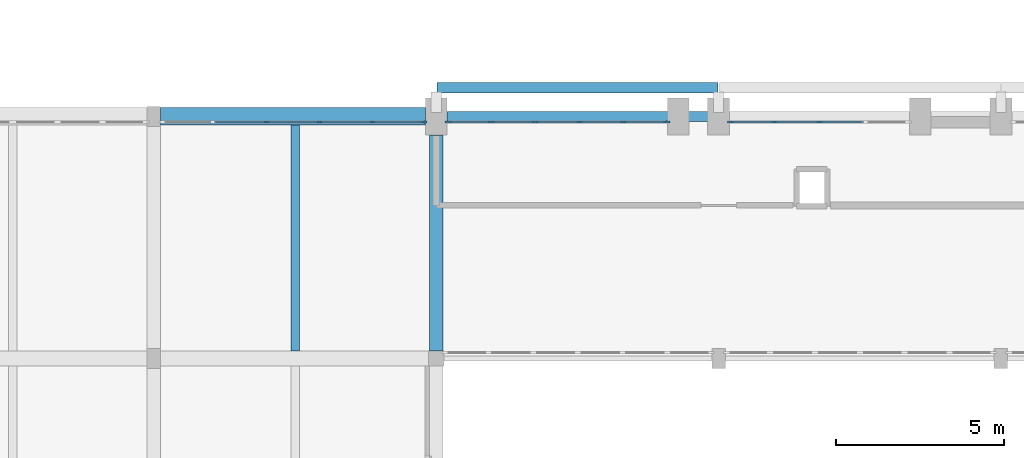
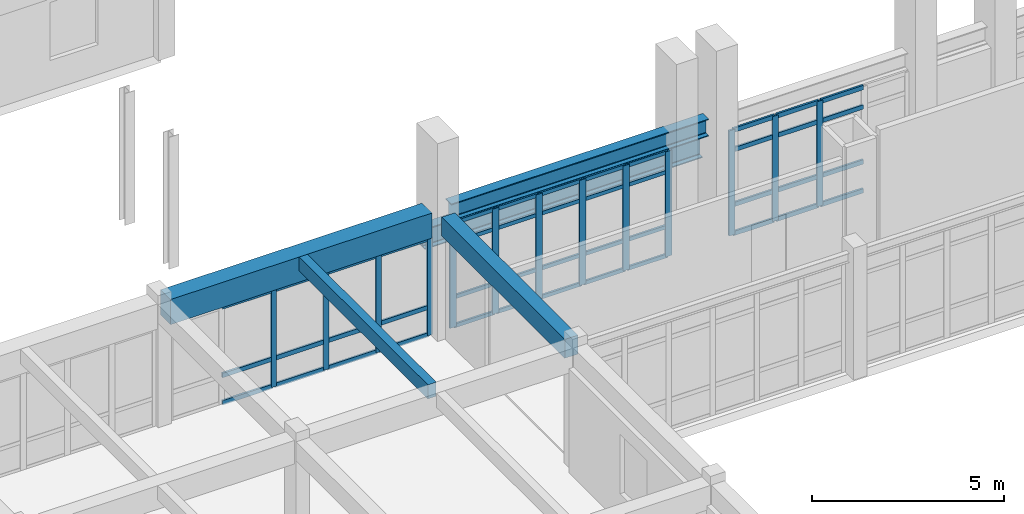
# One storey, part 83 of 147: 57 members, 5 beams, 3 elements without a shape of their own.
"""IFC4 building model written with IfcOpenShell, lengths in metres."""

from ifc_helpers import new_model, si_unit, direction, frame, origin, origin_2d, place, context, subcontext, project, spatial, rectangle, i_section, extrude, material, material_profile, profile_set, type_object, element, aggregate, save


model = new_model("IFC4")

# Units and contexts
model_context = context("Model", 3, precision=1e-05, world=origin(), true_north=direction((0.0, 1.0)))
body_context = subcontext(model_context, "Body", "Model", "MODEL_VIEW")
ifc_project = project(units=[si_unit("LENGTHUNIT", "METRE"), si_unit("AREAUNIT", "SQUARE_METRE"), si_unit("VOLUMEUNIT", "CUBIC_METRE"), si_unit("PLANEANGLEUNIT", "RADIAN"), si_unit("MASSUNIT", "GRAM", prefix="KILO")], contexts=[model_context])

# Site, building, storey
site_placement = place(None, origin())
site = spatial("IfcSite", under=ifc_project, at=site_placement, CompositionType="ELEMENT")
building_placement = place(site_placement, origin())
building = spatial("IfcBuilding", under=site, at=building_placement, Name="Malvenik Polytechnic", CompositionType="ELEMENT")
storey_placement = place(building_placement, frame((0.0, 0.0, 5.10009765625)))
storey = spatial("IfcBuildingStorey", under=building, at=storey_placement, Name="L01", CompositionType="ELEMENT", Elevation=5.10009765625)

# Curtain wall, members
ifc_material_1 = material(Name="Anodised aluminium 6060-T6", Category="aluminium")
curtain_wall_type_1 = type_object("IfcCurtainWallType", Name="ARC-CW-CW-02", PredefinedType="NOTDEFINED", material=ifc_material_1)
curtain_wall_1_placement = place(storey_placement, origin())
curtain_wall_1 = element("IfcCurtainWall", 1, at=curtain_wall_1_placement, inside=storey, type_object=curtain_wall_type_1, Name="Unitised Curtain Wall CW-02 L01 #98", PredefinedType="NOTDEFINED")
ifc_material_2 = material(Name="Anodised aluminium", Category="aluminium")
ifc_material_profile_1 = material_profile(ifc_material_2, rectangle(XDim=0.06005859375, YDim=0.159912109375, at=origin_2d()), Name="ALU MULLION 60x160")
ifc_profile_set_1 = profile_set([ifc_material_profile_1], Name="Anodised aluminium")
member_type_1 = type_object("IfcMemberType", Name="ARC-CWM-160", PredefinedType="MULLION", material=ifc_profile_set_1)
member_1_placement = place(storey_placement, frame((129.349609375, 35.830078125, 0.0), z_axis=(0.0, 0.0, 1.0), x_axis=(0.0, 1.0, 0.0)))
member_1 = element("IfcMember", 2, at=member_1_placement, type_object=member_type_1, Name="CW-02 mullion 3", PredefinedType="MULLION", context=body_context, shape_type="SweptSolid", body=[
    extrude(rectangle(XDim=0.06005859375, YDim=0.159912109375, at=origin_2d()), origin(), (0.0, 0.0, 1.0), 3.10986328125),
])
member_2_placement = place(storey_placement, frame((130.92529296875, 35.830078125, 0.0), z_axis=(0.0, 0.0, 1.0), x_axis=(0.0, 1.0, 0.0)))
member_2 = element("IfcMember", 3, at=member_2_placement, type_object=member_type_1, Name="CW-02 mullion 4", PredefinedType="MULLION", context=body_context, shape_type="SweptSolid", body=[
    extrude(rectangle(XDim=0.06005859375, YDim=0.159912109375, at=origin_2d()), origin(), (0.0, 0.0, 1.0), 3.10986328125),
])
member_3_placement = place(storey_placement, frame((132.501220703125, 35.830078125, 0.0), z_axis=(0.0, 0.0, 1.0), x_axis=(0.0, 1.0, 0.0)))
member_3 = element("IfcMember", 4, at=member_3_placement, type_object=member_type_1, Name="CW-02 mullion 5", PredefinedType="MULLION", context=body_context, shape_type="SweptSolid", body=[
    extrude(rectangle(XDim=0.06005859375, YDim=0.159912109375, at=origin_2d()), origin(), (0.0, 0.0, 1.0), 3.10986328125),
])
member_4_placement = place(storey_placement, frame((134.047119140625, 35.830078125, 0.0), z_axis=(0.0, 0.0, 1.0), x_axis=(0.0, 1.0, 0.0)))
member_4 = element("IfcMember", 5, at=member_4_placement, type_object=member_type_1, Name="CW-02 mullion 6", PredefinedType="MULLION", context=body_context, shape_type="SweptSolid", body=[
    extrude(rectangle(XDim=0.06005859375, YDim=0.159912109375, at=origin_2d()), origin(), (0.0, 0.0, 1.0), 3.10986328125),
])

curtain_wall_type_2 = type_object("IfcCurtainWallType", Name="ARC-CW-CW-15", PredefinedType="NOTDEFINED", material=ifc_material_1)
curtain_wall_2_placement = place(storey_placement, origin())
curtain_wall_2 = element("IfcCurtainWall", 6, at=curtain_wall_2_placement, inside=storey, type_object=curtain_wall_type_2, Name="Unitised Curtain Wall CW-15 L01 #100", PredefinedType="NOTDEFINED")
ifc_material_profile_2 = material_profile(ifc_material_2, rectangle(XDim=0.06005859375, YDim=0.179931640625, at=origin_2d()), Name="ALU MULLION 60x180")
ifc_profile_set_2 = profile_set([ifc_material_profile_2], Name="Anodised aluminium")
member_type_2 = type_object("IfcMemberType", Name="ARC-CWM-180", PredefinedType="MULLION", material=ifc_profile_set_2)
member_5_placement = place(storey_placement, frame((143.153076171875, 35.830078125, 0.0), z_axis=(0.0, 0.0, 1.0), x_axis=(0.0, 1.0, 0.0)))
member_5 = element("IfcMember", 7, at=member_5_placement, type_object=member_type_2, Name="CW-15 mullion 1", PredefinedType="MULLION", context=body_context, shape_type="SweptSolid", body=[
    extrude(rectangle(XDim=0.06005859375, YDim=0.179931640625, at=origin_2d()), origin(), (0.0, 0.0, 1.0), 3.347900390625),
])
member_6_placement = place(storey_placement, frame((144.46142578125, 35.830078125, 0.0), z_axis=(0.0, 0.0, 1.0), x_axis=(0.0, 1.0, 0.0)))
member_6 = element("IfcMember", 8, at=member_6_placement, type_object=member_type_2, Name="CW-15 mullion 2", PredefinedType="MULLION", context=body_context, shape_type="SweptSolid", body=[
    extrude(rectangle(XDim=0.06005859375, YDim=0.179931640625, at=origin_2d()), origin(), (0.0, 0.0, 1.0), 3.347900390625),
])
member_7_placement = place(storey_placement, frame((145.800048828125, 35.830078125, 0.0), z_axis=(0.0, 0.0, 1.0), x_axis=(0.0, 1.0, 0.0)))
member_7 = element("IfcMember", 9, at=member_7_placement, type_object=member_type_2, Name="CW-15 mullion 3", PredefinedType="MULLION", context=body_context, shape_type="SweptSolid", body=[
    extrude(rectangle(XDim=0.06005859375, YDim=0.179931640625, at=origin_2d()), origin(), (0.0, 0.0, 1.0), 3.347900390625),
])

curtain_wall_type_3 = type_object("IfcCurtainWallType", Name="ARC-CW-CW-05", PredefinedType="NOTDEFINED", material=ifc_material_1)
curtain_wall_3_placement = place(storey_placement, origin())
curtain_wall_3 = element("IfcCurtainWall", 10, at=curtain_wall_3_placement, inside=storey, type_object=curtain_wall_type_3, Name="Unitised Curtain Wall CW-05 L01 #99", PredefinedType="NOTDEFINED")
ifc_material_profile_3 = material_profile(ifc_material_2, rectangle(XDim=0.06005859375, YDim=0.199951171875, at=origin_2d()), Name="ALU MULLION 60x200")
ifc_profile_set_3 = profile_set([ifc_material_profile_3], Name="Anodised aluminium")
member_type_3 = type_object("IfcMemberType", Name="ARC-CWM-200", PredefinedType="MULLION", material=ifc_profile_set_3)
member_8_placement = place(storey_placement, frame((134.7529296875, 35.830078125, 0.0), z_axis=(0.0, 0.0, 1.0), x_axis=(0.0, 1.0, 0.0)))
member_8 = element("IfcMember", 11, at=member_8_placement, type_object=member_type_3, Name="CW-05 mullion 1", PredefinedType="MULLION", context=body_context, shape_type="SweptSolid", body=[
    extrude(rectangle(XDim=0.06005859375, YDim=0.199951171875, at=origin_2d()), origin(), (0.0, 0.0, 1.0), 3.347900390625),
])
member_9_placement = place(storey_placement, frame((136.03369140625, 35.830078125, 0.0), z_axis=(0.0, 0.0, 1.0), x_axis=(0.0, 1.0, 0.0)))
member_9 = element("IfcMember", 12, at=member_9_placement, type_object=member_type_3, Name="CW-05 mullion 2", PredefinedType="MULLION", context=body_context, shape_type="SweptSolid", body=[
    extrude(rectangle(XDim=0.06005859375, YDim=0.199951171875, at=origin_2d()), origin(), (0.0, 0.0, 1.0), 3.347900390625),
])
member_10_placement = place(storey_placement, frame((137.344482421875, 35.830078125, 0.0), z_axis=(0.0, 0.0, 1.0), x_axis=(0.0, 1.0, 0.0)))
member_10 = element("IfcMember", 13, at=member_10_placement, type_object=member_type_3, Name="CW-05 mullion 3", PredefinedType="MULLION", context=body_context, shape_type="SweptSolid", body=[
    extrude(rectangle(XDim=0.06005859375, YDim=0.199951171875, at=origin_2d()), origin(), (0.0, 0.0, 1.0), 3.347900390625),
])
member_11_placement = place(storey_placement, frame((138.655517578125, 35.830078125, 0.0), z_axis=(0.0, 0.0, 1.0), x_axis=(0.0, 1.0, 0.0)))
member_11 = element("IfcMember", 14, at=member_11_placement, type_object=member_type_3, Name="CW-05 mullion 4", PredefinedType="MULLION", context=body_context, shape_type="SweptSolid", body=[
    extrude(rectangle(XDim=0.06005859375, YDim=0.199951171875, at=origin_2d()), origin(), (0.0, 0.0, 1.0), 3.347900390625),
])
member_12_placement = place(storey_placement, frame((139.96630859375, 35.830078125, 0.0), z_axis=(0.0, 0.0, 1.0), x_axis=(0.0, 1.0, 0.0)))
member_12 = element("IfcMember", 15, at=member_12_placement, type_object=member_type_3, Name="CW-05 mullion 5", PredefinedType="MULLION", context=body_context, shape_type="SweptSolid", body=[
    extrude(rectangle(XDim=0.06005859375, YDim=0.199951171875, at=origin_2d()), origin(), (0.0, 0.0, 1.0), 3.347900390625),
])
member_13_placement = place(storey_placement, frame((141.2470703125, 35.830078125, 0.0), z_axis=(0.0, 0.0, 1.0), x_axis=(0.0, 1.0, 0.0)))
member_13 = element("IfcMember", 16, at=member_13_placement, type_object=member_type_3, Name="CW-05 mullion 6", PredefinedType="MULLION", context=body_context, shape_type="SweptSolid", body=[
    extrude(rectangle(XDim=0.06005859375, YDim=0.199951171875, at=origin_2d()), origin(), (0.0, 0.0, 1.0), 3.347900390625),
])
ifc_material_profile_4 = material_profile(ifc_material_2, rectangle(XDim=0.06005859375, YDim=0.1201171875, at=origin_2d()), Name="ALU TRANSOM 60x120")
ifc_profile_set_4 = profile_set([ifc_material_profile_4], Name="Anodised aluminium")
member_type_4 = type_object("IfcMemberType", Name="ARC-CWT-120", PredefinedType="USERDEFINED", material=ifc_profile_set_4)
member_14_placement = place(storey_placement, frame((134.782958984375, 35.830078125, 0.02978515625), z_axis=(1.0, 0.0, 0.0), x_axis=(0.0, 1.0, 0.0)))
member_14 = element("IfcMember", 17, at=member_14_placement, type_object=member_type_4, Name="CW-05 transom 1.1", ObjectType="TRANSOM", PredefinedType="USERDEFINED", context=body_context, shape_type="SweptSolid", body=[
    extrude(rectangle(XDim=0.06005859375, YDim=0.1201171875, at=origin_2d()), origin(), (0.0, 0.0, 1.0), 1.220947265625),
])
member_15_placement = place(storey_placement, frame((134.782958984375, 35.830078125, 0.949951171875), z_axis=(1.0, 0.0, 0.0), x_axis=(0.0, 1.0, 0.0)))
member_15 = element("IfcMember", 18, at=member_15_placement, type_object=member_type_4, Name="CW-05 transom 1.2", ObjectType="TRANSOM", PredefinedType="USERDEFINED", context=body_context, shape_type="SweptSolid", body=[
    extrude(rectangle(XDim=0.06005859375, YDim=0.1201171875, at=origin_2d()), origin(), (0.0, 0.0, 1.0), 1.220947265625),
])
member_16_placement = place(storey_placement, frame((134.782958984375, 35.830078125, 2.697998046875), z_axis=(1.0, 0.0, 0.0), x_axis=(0.0, 1.0, 0.0)))
member_16 = element("IfcMember", 19, at=member_16_placement, type_object=member_type_4, Name="CW-05 transom 1.3", ObjectType="TRANSOM", PredefinedType="USERDEFINED", context=body_context, shape_type="SweptSolid", body=[
    extrude(rectangle(XDim=0.06005859375, YDim=0.1201171875, at=origin_2d()), origin(), (0.0, 0.0, 1.0), 1.220947265625),
])
member_17_placement = place(storey_placement, frame((134.782958984375, 35.830078125, 3.31787109375), z_axis=(1.0, 0.0, 0.0), x_axis=(0.0, 1.0, 0.0)))
member_17 = element("IfcMember", 20, at=member_17_placement, type_object=member_type_4, Name="CW-05 transom 1.4", ObjectType="TRANSOM", PredefinedType="USERDEFINED", context=body_context, shape_type="SweptSolid", body=[
    extrude(rectangle(XDim=0.06005859375, YDim=0.1201171875, at=origin_2d()), origin(), (0.0, 0.0, 1.0), 1.220947265625),
])
member_18_placement = place(storey_placement, frame((136.063720703125, 35.830078125, 0.02978515625), z_axis=(1.0, 0.0, 0.0), x_axis=(0.0, 1.0, 0.0)))
member_18 = element("IfcMember", 21, at=member_18_placement, type_object=member_type_4, Name="CW-05 transom 2.1", ObjectType="TRANSOM", PredefinedType="USERDEFINED", context=body_context, shape_type="SweptSolid", body=[
    extrude(rectangle(XDim=0.06005859375, YDim=0.1201171875, at=origin_2d()), origin(), (0.0, 0.0, 1.0), 1.2509765625),
])
member_19_placement = place(storey_placement, frame((136.063720703125, 35.830078125, 0.949951171875), z_axis=(1.0, 0.0, 0.0), x_axis=(0.0, 1.0, 0.0)))
member_19 = element("IfcMember", 22, at=member_19_placement, type_object=member_type_4, Name="CW-05 transom 2.2", ObjectType="TRANSOM", PredefinedType="USERDEFINED", context=body_context, shape_type="SweptSolid", body=[
    extrude(rectangle(XDim=0.06005859375, YDim=0.1201171875, at=origin_2d()), origin(), (0.0, 0.0, 1.0), 1.2509765625),
])
member_20_placement = place(storey_placement, frame((136.063720703125, 35.830078125, 2.697998046875), z_axis=(1.0, 0.0, 0.0), x_axis=(0.0, 1.0, 0.0)))
member_20 = element("IfcMember", 23, at=member_20_placement, type_object=member_type_4, Name="CW-05 transom 2.3", ObjectType="TRANSOM", PredefinedType="USERDEFINED", context=body_context, shape_type="SweptSolid", body=[
    extrude(rectangle(XDim=0.06005859375, YDim=0.1201171875, at=origin_2d()), origin(), (0.0, 0.0, 1.0), 1.2509765625),
])
member_21_placement = place(storey_placement, frame((136.063720703125, 35.830078125, 3.31787109375), z_axis=(1.0, 0.0, 0.0), x_axis=(0.0, 1.0, 0.0)))
member_21 = element("IfcMember", 24, at=member_21_placement, type_object=member_type_4, Name="CW-05 transom 2.4", ObjectType="TRANSOM", PredefinedType="USERDEFINED", context=body_context, shape_type="SweptSolid", body=[
    extrude(rectangle(XDim=0.06005859375, YDim=0.1201171875, at=origin_2d()), origin(), (0.0, 0.0, 1.0), 1.2509765625),
])
member_22_placement = place(storey_placement, frame((137.37451171875, 35.830078125, 0.02978515625), z_axis=(1.0, 0.0, 0.0), x_axis=(0.0, 1.0, 0.0)))
member_22 = element("IfcMember", 25, at=member_22_placement, type_object=member_type_4, Name="CW-05 transom 3.1", ObjectType="TRANSOM", PredefinedType="USERDEFINED", context=body_context, shape_type="SweptSolid", body=[
    extrude(rectangle(XDim=0.06005859375, YDim=0.1201171875, at=origin_2d()), origin(), (0.0, 0.0, 1.0), 1.2509765625),
])
member_23_placement = place(storey_placement, frame((137.37451171875, 35.830078125, 0.949951171875), z_axis=(1.0, 0.0, 0.0), x_axis=(0.0, 1.0, 0.0)))
member_23 = element("IfcMember", 26, at=member_23_placement, type_object=member_type_4, Name="CW-05 transom 3.2", ObjectType="TRANSOM", PredefinedType="USERDEFINED", context=body_context, shape_type="SweptSolid", body=[
    extrude(rectangle(XDim=0.06005859375, YDim=0.1201171875, at=origin_2d()), origin(), (0.0, 0.0, 1.0), 1.2509765625),
])
member_24_placement = place(storey_placement, frame((137.37451171875, 35.830078125, 2.697998046875), z_axis=(1.0, 0.0, 0.0), x_axis=(0.0, 1.0, 0.0)))
member_24 = element("IfcMember", 27, at=member_24_placement, type_object=member_type_4, Name="CW-05 transom 3.3", ObjectType="TRANSOM", PredefinedType="USERDEFINED", context=body_context, shape_type="SweptSolid", body=[
    extrude(rectangle(XDim=0.06005859375, YDim=0.1201171875, at=origin_2d()), origin(), (0.0, 0.0, 1.0), 1.2509765625),
])
member_25_placement = place(storey_placement, frame((137.37451171875, 35.830078125, 3.31787109375), z_axis=(1.0, 0.0, 0.0), x_axis=(0.0, 1.0, 0.0)))
member_25 = element("IfcMember", 28, at=member_25_placement, type_object=member_type_4, Name="CW-05 transom 3.4", ObjectType="TRANSOM", PredefinedType="USERDEFINED", context=body_context, shape_type="SweptSolid", body=[
    extrude(rectangle(XDim=0.06005859375, YDim=0.1201171875, at=origin_2d()), origin(), (0.0, 0.0, 1.0), 1.2509765625),
])
member_26_placement = place(storey_placement, frame((138.685302734375, 35.830078125, 0.02978515625), z_axis=(1.0, 0.0, 0.0), x_axis=(0.0, 1.0, 0.0)))
member_26 = element("IfcMember", 29, at=member_26_placement, type_object=member_type_4, Name="CW-05 transom 4.1", ObjectType="TRANSOM", PredefinedType="USERDEFINED", context=body_context, shape_type="SweptSolid", body=[
    extrude(rectangle(XDim=0.06005859375, YDim=0.1201171875, at=origin_2d()), origin(), (0.0, 0.0, 1.0), 1.2509765625),
])
member_27_placement = place(storey_placement, frame((138.685302734375, 35.830078125, 0.949951171875), z_axis=(1.0, 0.0, 0.0), x_axis=(0.0, 1.0, 0.0)))
member_27 = element("IfcMember", 30, at=member_27_placement, type_object=member_type_4, Name="CW-05 transom 4.2", ObjectType="TRANSOM", PredefinedType="USERDEFINED", context=body_context, shape_type="SweptSolid", body=[
    extrude(rectangle(XDim=0.06005859375, YDim=0.1201171875, at=origin_2d()), origin(), (0.0, 0.0, 1.0), 1.2509765625),
])
member_28_placement = place(storey_placement, frame((138.685302734375, 35.830078125, 2.697998046875), z_axis=(1.0, 0.0, 0.0), x_axis=(0.0, 1.0, 0.0)))
member_28 = element("IfcMember", 31, at=member_28_placement, type_object=member_type_4, Name="CW-05 transom 4.3", ObjectType="TRANSOM", PredefinedType="USERDEFINED", context=body_context, shape_type="SweptSolid", body=[
    extrude(rectangle(XDim=0.06005859375, YDim=0.1201171875, at=origin_2d()), origin(), (0.0, 0.0, 1.0), 1.2509765625),
])
member_29_placement = place(storey_placement, frame((138.685302734375, 35.830078125, 3.31787109375), z_axis=(1.0, 0.0, 0.0), x_axis=(0.0, 1.0, 0.0)))
member_29 = element("IfcMember", 32, at=member_29_placement, type_object=member_type_4, Name="CW-05 transom 4.4", ObjectType="TRANSOM", PredefinedType="USERDEFINED", context=body_context, shape_type="SweptSolid", body=[
    extrude(rectangle(XDim=0.06005859375, YDim=0.1201171875, at=origin_2d()), origin(), (0.0, 0.0, 1.0), 1.2509765625),
])
member_30_placement = place(storey_placement, frame((139.99609375, 35.830078125, 0.02978515625), z_axis=(1.0, 0.0, 0.0), x_axis=(0.0, 1.0, 0.0)))
member_30 = element("IfcMember", 33, at=member_30_placement, type_object=member_type_4, Name="CW-05 transom 5.1", ObjectType="TRANSOM", PredefinedType="USERDEFINED", context=body_context, shape_type="SweptSolid", body=[
    extrude(rectangle(XDim=0.06005859375, YDim=0.1201171875, at=origin_2d()), origin(), (0.0, 0.0, 1.0), 1.220947265625),
])
member_31_placement = place(storey_placement, frame((139.99609375, 35.830078125, 0.949951171875), z_axis=(1.0, 0.0, 0.0), x_axis=(0.0, 1.0, 0.0)))
member_31 = element("IfcMember", 34, at=member_31_placement, type_object=member_type_4, Name="CW-05 transom 5.2", ObjectType="TRANSOM", PredefinedType="USERDEFINED", context=body_context, shape_type="SweptSolid", body=[
    extrude(rectangle(XDim=0.06005859375, YDim=0.1201171875, at=origin_2d()), origin(), (0.0, 0.0, 1.0), 1.220947265625),
])
member_32_placement = place(storey_placement, frame((139.99609375, 35.830078125, 2.697998046875), z_axis=(1.0, 0.0, 0.0), x_axis=(0.0, 1.0, 0.0)))
member_32 = element("IfcMember", 35, at=member_32_placement, type_object=member_type_4, Name="CW-05 transom 5.3", ObjectType="TRANSOM", PredefinedType="USERDEFINED", context=body_context, shape_type="SweptSolid", body=[
    extrude(rectangle(XDim=0.06005859375, YDim=0.1201171875, at=origin_2d()), origin(), (0.0, 0.0, 1.0), 1.220947265625),
])
member_33_placement = place(storey_placement, frame((139.99609375, 35.830078125, 3.31787109375), z_axis=(1.0, 0.0, 0.0), x_axis=(0.0, 1.0, 0.0)))
member_33 = element("IfcMember", 36, at=member_33_placement, type_object=member_type_4, Name="CW-05 transom 5.4", ObjectType="TRANSOM", PredefinedType="USERDEFINED", context=body_context, shape_type="SweptSolid", body=[
    extrude(rectangle(XDim=0.06005859375, YDim=0.1201171875, at=origin_2d()), origin(), (0.0, 0.0, 1.0), 1.220947265625),
])
aggregate(curtain_wall_3, [member_8, member_9, member_10, member_11, member_12, member_13, member_14, member_15, member_16, member_17, member_18, member_19, member_20, member_21, member_22, member_23, member_24, member_25, member_26, member_27, member_28, member_29, member_30, member_31, member_32, member_33])

# Member
ifc_material_profile_5 = material_profile(ifc_material_2, rectangle(XDim=0.06005859375, YDim=0.139892578125, at=origin_2d()), Name="ALU TRANSOM 60x140")
ifc_profile_set_5 = profile_set([ifc_material_profile_5], Name="Anodised aluminium")
member_type_5 = type_object("IfcMemberType", Name="ARC-CWT-140", PredefinedType="USERDEFINED", material=ifc_profile_set_5)
member_34_placement = place(storey_placement, frame((127.8037109375, 35.830078125, 0.02978515625), z_axis=(1.0, 0.0, 0.0), x_axis=(0.0, 1.0, 0.0)))
member_34 = element("IfcMember", 37, at=member_34_placement, type_object=member_type_5, Name="CW-02 transom 2.1", ObjectType="TRANSOM", PredefinedType="USERDEFINED", context=body_context, shape_type="SweptSolid", body=[
    extrude(rectangle(XDim=0.06005859375, YDim=0.139892578125, at=origin_2d()), origin(), (0.0, 0.0, 1.0), 1.515869140625),
])

member_35_placement = place(storey_placement, frame((127.8037109375, 35.830078125, 0.89990234375), z_axis=(1.0, 0.0, 0.0), x_axis=(0.0, 1.0, 0.0)))
member_35 = element("IfcMember", 38, at=member_35_placement, type_object=member_type_5, Name="CW-02 transom 2.2", ObjectType="TRANSOM", PredefinedType="USERDEFINED", context=body_context, shape_type="SweptSolid", body=[
    extrude(rectangle(XDim=0.06005859375, YDim=0.139892578125, at=origin_2d()), origin(), (0.0, 0.0, 1.0), 1.515869140625),
])

member_36_placement = place(storey_placement, frame((127.8037109375, 35.830078125, 3.079833984375), z_axis=(1.0, 0.0, 0.0), x_axis=(0.0, 1.0, 0.0)))
member_36 = element("IfcMember", 39, at=member_36_placement, type_object=member_type_5, Name="CW-02 transom 2.3", ObjectType="TRANSOM", PredefinedType="USERDEFINED", context=body_context, shape_type="SweptSolid", body=[
    extrude(rectangle(XDim=0.06005859375, YDim=0.139892578125, at=origin_2d()), origin(), (0.0, 0.0, 1.0), 1.515869140625),
])

member_37_placement = place(storey_placement, frame((129.379638671875, 35.830078125, 0.02978515625), z_axis=(1.0, 0.0, 0.0), x_axis=(0.0, 1.0, 0.0)))
member_37 = element("IfcMember", 40, at=member_37_placement, type_object=member_type_5, Name="CW-02 transom 3.1", ObjectType="TRANSOM", PredefinedType="USERDEFINED", context=body_context, shape_type="SweptSolid", body=[
    extrude(rectangle(XDim=0.06005859375, YDim=0.139892578125, at=origin_2d()), origin(), (0.0, 0.0, 1.0), 1.515869140625),
])

member_38_placement = place(storey_placement, frame((129.379638671875, 35.830078125, 0.89990234375), z_axis=(1.0, 0.0, 0.0), x_axis=(0.0, 1.0, 0.0)))
member_38 = element("IfcMember", 41, at=member_38_placement, type_object=member_type_5, Name="CW-02 transom 3.2", ObjectType="TRANSOM", PredefinedType="USERDEFINED", context=body_context, shape_type="SweptSolid", body=[
    extrude(rectangle(XDim=0.06005859375, YDim=0.139892578125, at=origin_2d()), origin(), (0.0, 0.0, 1.0), 1.515869140625),
])

member_39_placement = place(storey_placement, frame((129.379638671875, 35.830078125, 3.079833984375), z_axis=(1.0, 0.0, 0.0), x_axis=(0.0, 1.0, 0.0)))
member_39 = element("IfcMember", 42, at=member_39_placement, type_object=member_type_5, Name="CW-02 transom 3.3", ObjectType="TRANSOM", PredefinedType="USERDEFINED", context=body_context, shape_type="SweptSolid", body=[
    extrude(rectangle(XDim=0.06005859375, YDim=0.139892578125, at=origin_2d()), origin(), (0.0, 0.0, 1.0), 1.515869140625),
])

member_40_placement = place(storey_placement, frame((130.955322265625, 35.830078125, 0.02978515625), z_axis=(1.0, 0.0, 0.0), x_axis=(0.0, 1.0, 0.0)))
member_40 = element("IfcMember", 43, at=member_40_placement, type_object=member_type_5, Name="CW-02 transom 4.1", ObjectType="TRANSOM", PredefinedType="USERDEFINED", context=body_context, shape_type="SweptSolid", body=[
    extrude(rectangle(XDim=0.06005859375, YDim=0.139892578125, at=origin_2d()), origin(), (0.0, 0.0, 1.0), 1.515869140625),
])

member_41_placement = place(storey_placement, frame((130.955322265625, 35.830078125, 0.89990234375), z_axis=(1.0, 0.0, 0.0), x_axis=(0.0, 1.0, 0.0)))
member_41 = element("IfcMember", 44, at=member_41_placement, type_object=member_type_5, Name="CW-02 transom 4.2", ObjectType="TRANSOM", PredefinedType="USERDEFINED", context=body_context, shape_type="SweptSolid", body=[
    extrude(rectangle(XDim=0.06005859375, YDim=0.139892578125, at=origin_2d()), origin(), (0.0, 0.0, 1.0), 1.515869140625),
])

member_42_placement = place(storey_placement, frame((130.955322265625, 35.830078125, 3.079833984375), z_axis=(1.0, 0.0, 0.0), x_axis=(0.0, 1.0, 0.0)))
member_42 = element("IfcMember", 45, at=member_42_placement, type_object=member_type_5, Name="CW-02 transom 4.3", ObjectType="TRANSOM", PredefinedType="USERDEFINED", context=body_context, shape_type="SweptSolid", body=[
    extrude(rectangle(XDim=0.06005859375, YDim=0.139892578125, at=origin_2d()), origin(), (0.0, 0.0, 1.0), 1.515869140625),
])

member_43_placement = place(storey_placement, frame((132.53125, 35.830078125, 0.02978515625), z_axis=(1.0, 0.0, 0.0), x_axis=(0.0, 1.0, 0.0)))
member_43 = element("IfcMember", 46, at=member_43_placement, type_object=member_type_5, Name="CW-02 transom 5.1", ObjectType="TRANSOM", PredefinedType="USERDEFINED", context=body_context, shape_type="SweptSolid", body=[
    extrude(rectangle(XDim=0.06005859375, YDim=0.139892578125, at=origin_2d()), origin(), (0.0, 0.0, 1.0), 1.48583984375),
])

member_44_placement = place(storey_placement, frame((132.53125, 35.830078125, 0.89990234375), z_axis=(1.0, 0.0, 0.0), x_axis=(0.0, 1.0, 0.0)))
member_44 = element("IfcMember", 47, at=member_44_placement, type_object=member_type_5, Name="CW-02 transom 5.2", ObjectType="TRANSOM", PredefinedType="USERDEFINED", context=body_context, shape_type="SweptSolid", body=[
    extrude(rectangle(XDim=0.06005859375, YDim=0.139892578125, at=origin_2d()), origin(), (0.0, 0.0, 1.0), 1.48583984375),
])

member_45_placement = place(storey_placement, frame((132.53125, 35.830078125, 3.079833984375), z_axis=(1.0, 0.0, 0.0), x_axis=(0.0, 1.0, 0.0)))
member_45 = element("IfcMember", 48, at=member_45_placement, type_object=member_type_5, Name="CW-02 transom 5.3", ObjectType="TRANSOM", PredefinedType="USERDEFINED", context=body_context, shape_type="SweptSolid", body=[
    extrude(rectangle(XDim=0.06005859375, YDim=0.139892578125, at=origin_2d()), origin(), (0.0, 0.0, 1.0), 1.48583984375),
])

aggregate(curtain_wall_1, [member_1, member_2, member_3, member_4, member_34, member_35, member_36, member_37, member_38, member_39, member_40, member_41, member_42, member_43, member_44, member_45])

member_46_placement = place(storey_placement, frame((143.18310546875, 35.830078125, 0.02978515625), z_axis=(1.0, 0.0, 0.0), x_axis=(0.0, 1.0, 0.0)))
member_46 = element("IfcMember", 49, at=member_46_placement, type_object=member_type_5, Name="CW-15 transom 1.1", ObjectType="TRANSOM", PredefinedType="USERDEFINED", context=body_context, shape_type="SweptSolid", body=[
    extrude(rectangle(XDim=0.06005859375, YDim=0.139892578125, at=origin_2d()), origin(), (0.0, 0.0, 1.0), 1.248291015625),
])

member_47_placement = place(storey_placement, frame((143.18310546875, 35.830078125, 0.949951171875), z_axis=(1.0, 0.0, 0.0), x_axis=(0.0, 1.0, 0.0)))
member_47 = element("IfcMember", 50, at=member_47_placement, type_object=member_type_5, Name="CW-15 transom 1.2", ObjectType="TRANSOM", PredefinedType="USERDEFINED", context=body_context, shape_type="SweptSolid", body=[
    extrude(rectangle(XDim=0.06005859375, YDim=0.139892578125, at=origin_2d()), origin(), (0.0, 0.0, 1.0), 1.248291015625),
])

member_48_placement = place(storey_placement, frame((143.18310546875, 35.830078125, 2.697998046875), z_axis=(1.0, 0.0, 0.0), x_axis=(0.0, 1.0, 0.0)))
member_48 = element("IfcMember", 51, at=member_48_placement, type_object=member_type_5, Name="CW-15 transom 1.3", ObjectType="TRANSOM", PredefinedType="USERDEFINED", context=body_context, shape_type="SweptSolid", body=[
    extrude(rectangle(XDim=0.06005859375, YDim=0.139892578125, at=origin_2d()), origin(), (0.0, 0.0, 1.0), 1.248291015625),
])

member_49_placement = place(storey_placement, frame((143.18310546875, 35.830078125, 3.31787109375), z_axis=(1.0, 0.0, 0.0), x_axis=(0.0, 1.0, 0.0)))
member_49 = element("IfcMember", 52, at=member_49_placement, type_object=member_type_5, Name="CW-15 transom 1.4", ObjectType="TRANSOM", PredefinedType="USERDEFINED", context=body_context, shape_type="SweptSolid", body=[
    extrude(rectangle(XDim=0.06005859375, YDim=0.139892578125, at=origin_2d()), origin(), (0.0, 0.0, 1.0), 1.248291015625),
])

member_50_placement = place(storey_placement, frame((144.491455078125, 35.830078125, 0.02978515625), z_axis=(1.0, 0.0, 0.0), x_axis=(0.0, 1.0, 0.0)))
member_50 = element("IfcMember", 53, at=member_50_placement, type_object=member_type_5, Name="CW-15 transom 2.1", ObjectType="TRANSOM", PredefinedType="USERDEFINED", context=body_context, shape_type="SweptSolid", body=[
    extrude(rectangle(XDim=0.06005859375, YDim=0.139892578125, at=origin_2d()), origin(), (0.0, 0.0, 1.0), 1.278564453125),
])

member_51_placement = place(storey_placement, frame((144.491455078125, 35.830078125, 0.949951171875), z_axis=(1.0, 0.0, 0.0), x_axis=(0.0, 1.0, 0.0)))
member_51 = element("IfcMember", 54, at=member_51_placement, type_object=member_type_5, Name="CW-15 transom 2.2", ObjectType="TRANSOM", PredefinedType="USERDEFINED", context=body_context, shape_type="SweptSolid", body=[
    extrude(rectangle(XDim=0.06005859375, YDim=0.139892578125, at=origin_2d()), origin(), (0.0, 0.0, 1.0), 1.278564453125),
])

member_52_placement = place(storey_placement, frame((144.491455078125, 35.830078125, 2.697998046875), z_axis=(1.0, 0.0, 0.0), x_axis=(0.0, 1.0, 0.0)))
member_52 = element("IfcMember", 55, at=member_52_placement, type_object=member_type_5, Name="CW-15 transom 2.3", ObjectType="TRANSOM", PredefinedType="USERDEFINED", context=body_context, shape_type="SweptSolid", body=[
    extrude(rectangle(XDim=0.06005859375, YDim=0.139892578125, at=origin_2d()), origin(), (0.0, 0.0, 1.0), 1.278564453125),
])

member_53_placement = place(storey_placement, frame((144.491455078125, 35.830078125, 3.31787109375), z_axis=(1.0, 0.0, 0.0), x_axis=(0.0, 1.0, 0.0)))
member_53 = element("IfcMember", 56, at=member_53_placement, type_object=member_type_5, Name="CW-15 transom 2.4", ObjectType="TRANSOM", PredefinedType="USERDEFINED", context=body_context, shape_type="SweptSolid", body=[
    extrude(rectangle(XDim=0.06005859375, YDim=0.139892578125, at=origin_2d()), origin(), (0.0, 0.0, 1.0), 1.278564453125),
])

member_54_placement = place(storey_placement, frame((145.830078125, 35.830078125, 0.02978515625), z_axis=(1.0, 0.0, 0.0), x_axis=(0.0, 1.0, 0.0)))
member_54 = element("IfcMember", 57, at=member_54_placement, type_object=member_type_5, Name="CW-15 transom 3.1", ObjectType="TRANSOM", PredefinedType="USERDEFINED", context=body_context, shape_type="SweptSolid", body=[
    extrude(rectangle(XDim=0.06005859375, YDim=0.139892578125, at=origin_2d()), origin(), (0.0, 0.0, 1.0), 1.2783203125),
])

member_55_placement = place(storey_placement, frame((145.830078125, 35.830078125, 0.949951171875), z_axis=(1.0, 0.0, 0.0), x_axis=(0.0, 1.0, 0.0)))
member_55 = element("IfcMember", 58, at=member_55_placement, type_object=member_type_5, Name="CW-15 transom 3.2", ObjectType="TRANSOM", PredefinedType="USERDEFINED", context=body_context, shape_type="SweptSolid", body=[
    extrude(rectangle(XDim=0.06005859375, YDim=0.139892578125, at=origin_2d()), origin(), (0.0, 0.0, 1.0), 1.2783203125),
])

member_56_placement = place(storey_placement, frame((145.830078125, 35.830078125, 2.697998046875), z_axis=(1.0, 0.0, 0.0), x_axis=(0.0, 1.0, 0.0)))
member_56 = element("IfcMember", 59, at=member_56_placement, type_object=member_type_5, Name="CW-15 transom 3.3", ObjectType="TRANSOM", PredefinedType="USERDEFINED", context=body_context, shape_type="SweptSolid", body=[
    extrude(rectangle(XDim=0.06005859375, YDim=0.139892578125, at=origin_2d()), origin(), (0.0, 0.0, 1.0), 1.2783203125),
])

member_57_placement = place(storey_placement, frame((145.830078125, 35.830078125, 3.31787109375), z_axis=(1.0, 0.0, 0.0), x_axis=(0.0, 1.0, 0.0)))
member_57 = element("IfcMember", 60, at=member_57_placement, type_object=member_type_5, Name="CW-15 transom 3.4", ObjectType="TRANSOM", PredefinedType="USERDEFINED", context=body_context, shape_type="SweptSolid", body=[
    extrude(rectangle(XDim=0.06005859375, YDim=0.139892578125, at=origin_2d()), origin(), (0.0, 0.0, 1.0), 1.2783203125),
])

aggregate(curtain_wall_2, [member_5, member_6, member_7, member_46, member_47, member_48, member_49, member_50, member_51, member_52, member_53, member_54, member_55, member_56, member_57])

# Beams
ifc_material_3 = material(Name="Concrete C35/45", Category="concrete")
ifc_material_profile_6 = material_profile(ifc_material_3, rectangle(XDim=0.39990234375, YDim=0.60009765625, at=origin_2d()), Name="RC BM 400x600")
ifc_profile_set_6 = profile_set([ifc_material_profile_6], Name="Concrete C35/45")
beam_type_1 = type_object("IfcBeamType", Name="STR-BM-B-06", PredefinedType="BEAM", material=ifc_profile_set_6)
beam_1_placement = place(storey_placement, frame((134.39990234375, 29.02294921875, 3.619873046875), z_axis=(0.0, 1.0, 0.0), x_axis=(-1.0, 0.0, 0.0)))
element("IfcBeam", 61, at=beam_1_placement, inside=storey, type_object=beam_type_1, Name="Transverse Beam B-06 L01 #1243", PredefinedType="BEAM", context=body_context, shape_type="SweptSolid", body=[
    extrude(rectangle(XDim=0.39990234375, YDim=0.60009765625, at=origin_2d()), origin(), (0.0, 0.0, 1.0), 6.428955078125),
])
ifc_material_4 = material(Name="Steel S355", Category="steel")
ifc_material_profile_7 = material_profile(ifc_material_4, i_section(OverallWidth=0.300048828125, OverallDepth=0.64990234375, WebThickness=0.01611328125, FlangeThickness=0.031005859375, FilletRadius=0.027099609375, at=origin_2d()), Name="HEB 650")
ifc_profile_set_7 = profile_set([ifc_material_profile_7], Name="Steel S355")
beam_type_2 = type_object("IfcBeamType", Name="STR-BM-CB-01", PredefinedType="BEAM", material=ifc_profile_set_7)
beam_2_placement = place(storey_placement, frame((134.419921875, 36.85009765625, 2.375), z_axis=(1.0, 0.0, 0.0), x_axis=(0.0, 1.0, 0.0)))
element("IfcBeam", 62, at=beam_2_placement, inside=storey, type_object=beam_type_2, Name="100 kN Crane Runway Girder CB-01 #1.1", PredefinedType="BEAM", context=body_context, shape_type="SweptSolid", body=[
    extrude(i_section(OverallWidth=0.300048828125, OverallDepth=0.64990234375, WebThickness=0.01611328125, FlangeThickness=0.031005859375, FilletRadius=0.027099609375, at=origin_2d()), origin(), (0.0, 0.0, 1.0), 8.360107421875),
])
ifc_material_5 = material(Name="Concrete C30/37", Category="concrete")
ifc_material_profile_8 = material_profile(ifc_material_5, rectangle(XDim=0.25, YDim=0.449951171875, at=origin_2d()), Name="RC JST 250x450")
ifc_profile_set_8 = profile_set([ifc_material_profile_8], Name="Concrete C30/37")
beam_type_3 = type_object("IfcBeamType", Name="STR-BM-J-02", PredefinedType="JOIST", material=ifc_profile_set_8)
beam_3_placement = place(storey_placement, frame((130.199951171875, 29.02294921875, 3.69482421875), z_axis=(0.0, 1.0, 0.0), x_axis=(-1.0, 0.0, 0.0)))
element("IfcBeam", 63, at=beam_3_placement, inside=storey, type_object=beam_type_3, Name="Secondary Rib Joist J-02 L01 #1324", PredefinedType="JOIST", context=body_context, shape_type="SweptSolid", body=[
    extrude(rectangle(XDim=0.25, YDim=0.449951171875, at=origin_2d()), origin(), (0.0, 0.0, 1.0), 6.718994140625),
])
ifc_material_profile_9 = material_profile(ifc_material_4, i_section(OverallWidth=0.300048828125, OverallDepth=0.550048828125, WebThickness=0.014892578125, FlangeThickness=0.029052734375, FilletRadius=0.027099609375, at=origin_2d()), Name="HEB 550")
ifc_profile_set_9 = profile_set([ifc_material_profile_9], Name="Steel S355")
beam_type_4 = type_object("IfcBeamType", Name="STR-BM-SB-01", PredefinedType="BEAM", material=ifc_profile_set_9)
beam_4_placement = place(storey_placement, frame((134.722900390625, 36.0, 3.6328125), z_axis=(1.0, 0.0, 0.0), x_axis=(0.0, 1.0, 0.0)))
element("IfcBeam", 64, at=beam_4_placement, inside=storey, type_object=beam_type_4, Name="Beam SB-01 #1", PredefinedType="BEAM", context=body_context, shape_type="SweptSolid", body=[
    extrude(i_section(OverallWidth=0.300048828125, OverallDepth=0.550048828125, WebThickness=0.014892578125, FlangeThickness=0.029052734375, FilletRadius=0.027099609375, at=origin_2d()), origin(), (0.0, 0.0, 1.0), 7.754150390625),
])
ifc_material_6 = material(Name="Precast concrete C40/50", Category="concrete")
ifc_material_profile_10 = material_profile(ifc_material_6, rectangle(XDim=0.52001953125, YDim=0.800048828125, at=origin_2d()), Name="PC SPN 520x800")
ifc_profile_set_10 = profile_set([ifc_material_profile_10], Name="Precast concrete C40/50")
beam_type_5 = type_object("IfcBeamType", Name="STR-BM-SP-01", PredefinedType="SPANDREL", material=ifc_profile_set_10)
beam_5_placement = place(storey_placement, frame((126.197998046875, 36.0, 3.52001953125), z_axis=(1.0, 0.0, 0.0), x_axis=(0.0, 1.0, 0.0)))
element("IfcBeam", 65, at=beam_5_placement, inside=storey, type_object=beam_type_5, Name="Primary Beam SP-01 L01 #997", PredefinedType="SPANDREL", context=body_context, shape_type="SweptSolid", body=[
    extrude(rectangle(XDim=0.52001953125, YDim=0.800048828125, at=origin_2d()), origin(), (0.0, 0.0, 1.0), 7.87890625),
])

save(model, "model.ifc")
